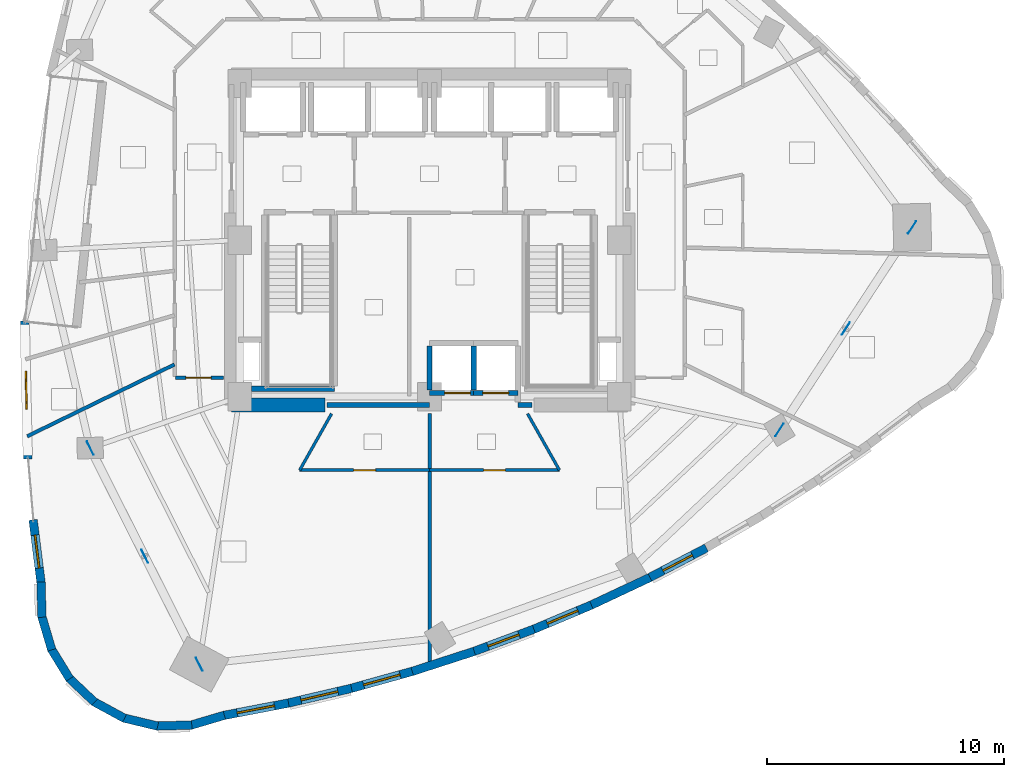
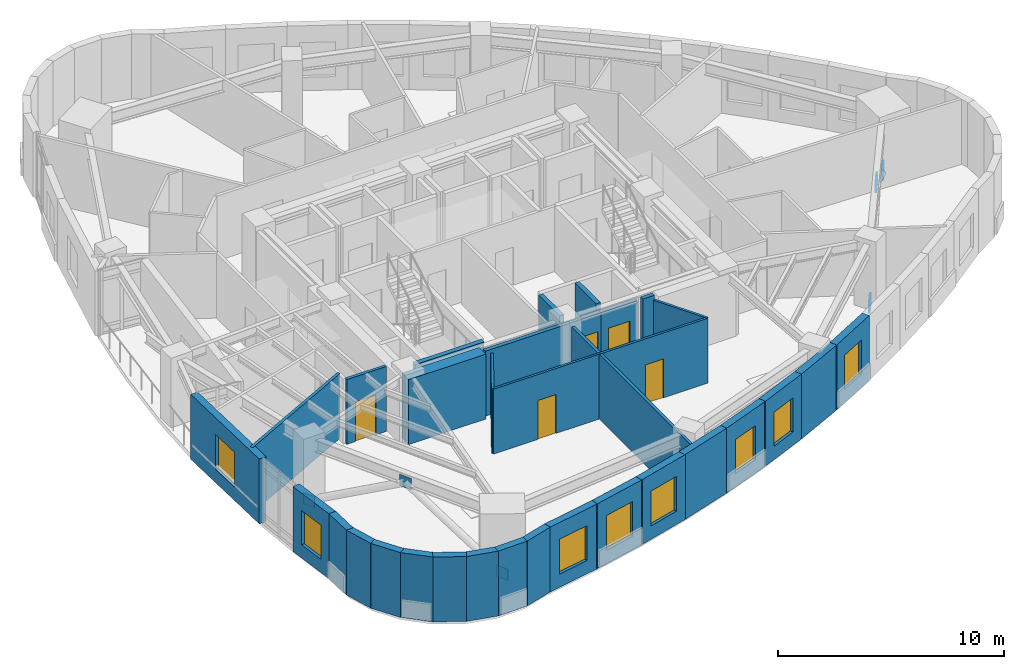
# One storey, part 9 of 16: 33 walls, 8 windows, 6 plates, 5 doors, 13 openings.
"""IFC4 building model written with IfcOpenShell, lengths in metres."""

import ifcopenshell
import ifcopenshell.guid

model = None  # the IFC model being written
_history = None  # IfcOwnerHistory: only IFC2X3 demands one
_inside = {}  # id of a spatial element -> (the spatial element, [elements in it])
_under = {}  # id of a project, library or spatial element -> (it, [spatial elements below it])
_declared = {}  # id of a project -> (the project, [libraries it declares])
_typed = {}  # id of a type object -> (the type object, [elements of that type])
_made_of = {}  # id of a material, layer set ... -> (it, [elements and type objects made of it])


def new_model(schema):
    """Start an empty IFC model of exactly this schema.

    Asked for "IFC4X3", IfcOpenShell would pick the latest addendum, in which some entities
    have other attributes; the version numbers below select the first issue.
    IFC2X3 requires an IfcOwnerHistory on every rooted entity: one is made here for all.
    """
    global model, _history
    if schema == "IFC4X3":
        model = ifcopenshell.file(schema_version=(4, 3, 0, 0))
    else:
        model = ifcopenshell.file(schema=schema)
    _inside.clear()
    _under.clear()
    _declared.clear()
    _typed.clear()
    _made_of.clear()
    _history = None
    if model.schema == "IFC2X3":
        org = make("IfcOrganization", Name="unknown")
        user = make(
            "IfcPersonAndOrganization",
            ThePerson=make("IfcPerson", FamilyName="unknown"),
            TheOrganization=org,
        )
        app = make(
            "IfcApplication",
            ApplicationDeveloper=org,
            Version="unknown",
            ApplicationFullName="unknown",
            ApplicationIdentifier="unknown",
        )
        _history = make(
            "IfcOwnerHistory",
            OwningUser=user,
            OwningApplication=app,
            ChangeAction="ADDED",
            CreationDate=0,
        )
    return model


def make(cls, **values):
    """One entity of the class cls with the attributes given. An attribute that is None is left unset."""
    return model.create_entity(
        cls, **{name: value for name, value in values.items() if value is not None}
    )


def rooted(cls, **values):
    """An entity with a GlobalId (a new one), such as an element, a storey or a relation."""
    return make(cls, GlobalId=ifcopenshell.guid.new(), OwnerHistory=_history, **values)


def si_unit(unit_type, name, prefix=None):
    """IfcSIUnit, for example si_unit("LENGTHUNIT", "METRE", prefix="MILLI")."""
    return make("IfcSIUnit", UnitType=unit_type, Prefix=prefix, Name=name)


def assignment(units):
    """IfcUnitAssignment: the units of a project."""
    return None if units is None else make("IfcUnitAssignment", Units=units)


def point(xyz):
    """IfcCartesianPoint."""
    return None if xyz is None else make("IfcCartesianPoint", Coordinates=xyz)


def direction(xyz):
    """IfcDirection."""
    return None if xyz is None else make("IfcDirection", DirectionRatios=xyz)


def frame(location, z_axis=None, x_axis=None):
    """IfcAxis2Placement3D, a coordinate frame: its origin and axes. An axis left out is left unset."""
    return make(
        "IfcAxis2Placement3D",
        Location=point(location),
        Axis=direction(z_axis),
        RefDirection=direction(x_axis),
    )


def frame_2d(location, x_axis=None):
    """IfcAxis2Placement2D, a coordinate frame in the plane: its origin and x axis."""
    return make(
        "IfcAxis2Placement2D", Location=point(location), RefDirection=direction(x_axis)
    )


def origin():
    """The frame at (0, 0, 0) with its axes left unset."""
    return frame((0.0, 0.0, 0.0))


def origin_2d():
    """The frame at (0, 0) in the plane with its x axis left unset."""
    return frame_2d((0.0, 0.0))


def place(relative_to, where):
    """IfcLocalPlacement: puts the frame where relative to a parent placement (None: the world)."""
    return make(
        "IfcLocalPlacement", PlacementRelTo=relative_to, RelativePlacement=where
    )


def context(
    kind, dimensions, precision=None, world=None, true_north=None, identifier=None
):
    """IfcGeometricRepresentationContext, for example the 3D "Model" context."""
    return make(
        "IfcGeometricRepresentationContext",
        ContextIdentifier=identifier,
        ContextType=kind,
        CoordinateSpaceDimension=dimensions,
        Precision=precision,
        WorldCoordinateSystem=world,
        TrueNorth=true_north,
    )


def subcontext(parent, identifier, kind, view, scale=None):
    """IfcGeometricRepresentationSubContext, for example "Body" below "Model"."""
    return make(
        "IfcGeometricRepresentationSubContext",
        ContextIdentifier=identifier,
        ContextType=kind,
        ParentContext=parent,
        TargetScale=scale,
        TargetView=view,
    )


def project(units=None, contexts=None):
    """IfcProject with its units and contexts."""
    return rooted(
        "IfcProject",
        Name="project",
        RepresentationContexts=contexts,
        UnitsInContext=assignment(units),
    )


def spatial(cls, under=None, at=None, **own):
    """A site, building, storey or space (cls), placed at a placement, below another one or the project."""
    s = rooted(cls, ObjectPlacement=at, **own)
    if under is not None:
        _under.setdefault(under.id(), (under, []))[1].append(s)
    return s


def profile(cls, at=None, kind="AREA", **sizes):
    """A parametric profile (cls). Its sizes go by their IFC names, for example OverallWidth=200.0."""
    return make(cls, ProfileType=kind, Position=at, **sizes)


def rectangle(**sizes):
    """IfcRectangleProfileDef."""
    return profile("IfcRectangleProfileDef", **sizes)


def extrude(swept, where, along, depth):
    """IfcExtrudedAreaSolid: the profile swept, set in the frame where, extruded along a direction by depth."""
    return make(
        "IfcExtrudedAreaSolid",
        SweptArea=swept,
        Position=where,
        ExtrudedDirection=direction(along),
        Depth=depth,
    )


def shape(context_of_items, identifier, shape_type, items):
    """IfcShapeRepresentation: the items that make up one representation, for example the "Body"."""
    return make(
        "IfcShapeRepresentation",
        ContextOfItems=context_of_items,
        RepresentationIdentifier=identifier,
        RepresentationType=shape_type,
        Items=items,
    )


def material(Name=None, Category=None):
    """IfcMaterial."""
    return make("IfcMaterial", Name=Name, Category=Category)


def layer(
    of_material, thickness, ventilated=None, Name=None, Category=None, Priority=None
):
    """IfcMaterialLayer: one layer of a wall or slab, of a material (None: an air gap)."""
    return make(
        "IfcMaterialLayer",
        Material=of_material,
        LayerThickness=thickness,
        IsVentilated=ventilated,
        Name=Name,
        Category=Category,
        Priority=Priority,
    )


def layer_set(layers, Name=None):
    """IfcMaterialLayerSet."""
    return make("IfcMaterialLayerSet", MaterialLayers=layers, LayerSetName=Name)


def made_of(thing, what):
    """Note that an element or type object is made of a material, layer set ...; save() writes the relation."""
    if what is not None:
        _made_of.setdefault(what.id(), (what, []))[1].append(thing)
    return thing


def type_object(cls, material=None, **own):
    """A type object (cls), such as IfcWallType, which elements share."""
    return made_of(rooted(cls, **own), material)


def element(
    cls,
    number,
    at=None,
    inside=None,
    cuts=None,
    type_object=None,
    material=None,
    context=None,
    identifier="Body",
    shape_type=None,
    held_by="IfcProductDefinitionShape",
    body=None,
    shapes=None,
    **own,
):
    """One element of the class cls, such as IfcWall. Its Tag is "e" and its number.

    at: its placement. inside: the storey or other place that contains it. cuts: it is an
    opening in that element (IfcRelVoidsElement). A single representation is given by context,
    identifier, shape_type and body (its items); several are given by shapes. held_by: the class
    of the entity that holds the representations. save() writes the other relations.
    """
    e = rooted(cls, Tag="e%d" % number, ObjectPlacement=at, **own)
    if body is not None:
        shapes = [shape(context, identifier, shape_type, body)]
    if shapes is not None:
        e.Representation = make(held_by, Representations=shapes)
    if inside is not None:
        _inside.setdefault(inside.id(), (inside, []))[1].append(e)
    if cuts is not None:
        rooted(
            "IfcRelVoidsElement", RelatingBuildingElement=cuts, RelatedOpeningElement=e
        )
    if type_object is not None:
        _typed.setdefault(type_object.id(), (type_object, []))[1].append(e)
    return made_of(e, material)


def fill(opening, filler):
    """IfcRelFillsElement: the door or window that sits in an opening."""
    return rooted(
        "IfcRelFillsElement",
        RelatingOpeningElement=opening,
        RelatedBuildingElement=filler,
    )


def aggregate(whole, parts):
    """IfcRelAggregates: a whole, such as a stair, and the parts it consists of."""
    return rooted("IfcRelAggregates", RelatingObject=whole, RelatedObjects=parts)


def save(model, path):
    """Write the relations noted so far, then the file.

    IfcRelAggregates (storeys below a building ...), IfcRelContainedInSpatialStructure (elements
    in a storey), IfcRelDefinesByType, IfcRelAssociatesMaterial and IfcRelDeclares: one each for
    every whole, place, type object, material and project.
    """
    for whole, parts in _under.values():
        aggregate(whole, parts)
    for where, things in _inside.values():
        rooted(
            "IfcRelContainedInSpatialStructure",
            RelatedElements=things,
            RelatingStructure=where,
        )
    for kind, things in _typed.values():
        rooted("IfcRelDefinesByType", RelatedObjects=things, RelatingType=kind)
    for what, things in _made_of.values():
        rooted("IfcRelAssociatesMaterial", RelatedObjects=things, RelatingMaterial=what)
    for by, libraries in _declared.values():
        rooted("IfcRelDeclares", RelatingContext=by, RelatedDefinitions=libraries)
    model.write(path)


model = new_model("IFC4")

# Units and contexts
model_context = context("Model", 3, precision=1e-05, world=origin(), true_north=direction((0.0, 1.0)))
body_context = subcontext(model_context, "Body", "Model", "MODEL_VIEW")
ifc_project = project(units=[si_unit("LENGTHUNIT", "METRE"), si_unit("AREAUNIT", "SQUARE_METRE"), si_unit("VOLUMEUNIT", "CUBIC_METRE"), si_unit("PLANEANGLEUNIT", "RADIAN"), si_unit("MASSUNIT", "GRAM", prefix="KILO")], contexts=[model_context])

# Site, building, storey
site_placement = place(None, origin())
site = spatial("IfcSite", under=ifc_project, at=site_placement, CompositionType="ELEMENT")
building_placement = place(site_placement, origin())
building = spatial("IfcBuilding", under=site, at=building_placement, Name="Ndelora Gate Hotel", CompositionType="ELEMENT")
storey_placement = place(building_placement, frame((0.0, 0.0, 97.25)))
storey = spatial("IfcBuildingStorey", under=building, at=storey_placement, Name="L23", CompositionType="ELEMENT", Elevation=97.25)

# Plates
ifc_material_1 = material(Name="Steel S355", Category="steel")
ifc_layer_1 = layer(ifc_material_1, 0.02001953125)
ifc_layer_set_1 = layer_set([ifc_layer_1], Name="Steel S355")
plate_type = type_object("IfcPlateType", Name="PL-NODE-VN1", PredefinedType="USERDEFINED", material=ifc_layer_set_1)
for number, where, z_axis, x_axis, name in (
    (1, (-14.307373046875, -8.767578125, -0.2900390625), (0.0, 0.0, 1.0), (-0.450254288408, 0.892900372813, 0.0), "Node gusset cap plate VN1"),
    (2, (-9.71044921875, -17.884521484375, -0.2900390625), (0.0, 0.0, 1.0), (-0.450254288408, 0.892900372813, 0.0), "Node gusset cap plate VN1"),
    (3, (-12.0087890625, -13.325927734375, 2.639892578125), (0.0, 0.0, 1.0), (-0.450254288408, 0.892900372813, 0.0), "Node gusset cap plate VN1"),
    (4, (14.74658203125, -8.006591796875, -0.2900390625), (0.0, 0.0, 1.0), (0.548147261701, 0.836381838331, 0.0), "Node gusset cap plate VN1"),
    (5, (20.34375, 0.53271484375, -0.2900390625), (0.0, 0.0, 1.0), (0.548147261701, 0.836381838331, 0.0), "Node gusset cap plate VN1"),
    (6, (17.545166015625, -3.737060546875, 2.639892578125), (0.0, 0.0, 1.0), (0.548147261701, 0.836381838331, 0.0), "Node gusset cap plate VN1"),
):
    element("IfcPlate", number, at=place(storey_placement, frame(where, z_axis=z_axis, x_axis=x_axis)), inside=storey, type_object=plate_type, Name=name, ObjectType="GUSSET_PLATE", PredefinedType="USERDEFINED", context=body_context, shape_type="SweptSolid", body=[
        extrude(rectangle(XDim=0.6201171875, YDim=0.02001953125, at=origin_2d()), origin(), (0.0, 0.0, 1.0), 0.6201171875),
    ])

# Wall, opening, window
ifc_material_2 = material(Name="Clay Brick Masonry", Category="masonry")
ifc_layer_2 = layer(ifc_material_2, 0.360107421875)
ifc_layer_set_2 = layer_set([ifc_layer_2], Name="Clay Brick Masonry")
wall_type_1 = type_object("IfcWallType", Name="WL-BRICK-360", PredefinedType="SOLIDWALL", material=ifc_layer_set_2)
wall_1_placement = place(storey_placement, frame((-16.937255859375, -9.235107421875, 0.0), z_axis=(0.0, 0.0, 1.0), x_axis=(-0.022541523753, 0.999745907572, 0.0)))
wall_1 = element("IfcWall", 7, at=wall_1_placement, inside=storey, type_object=wall_type_1, Name="L23 Tower Brick Pier-and-Spandrel Wall TWR-16", PredefinedType="SOLIDWALL", context=body_context, shape_type="SweptSolid", body=[
    extrude(rectangle(XDim=5.826904296875, YDim=0.360107421875, at=frame_2d((2.91357421875, 0.0))), origin(), (0.0, 0.0, 1.0), 3.5),
])
opening_1_placement = place(wall_1_placement, frame((2.11328125, 0.0, 0.719970703125)))
opening_1 = element("IfcOpeningElement", 8, at=opening_1_placement, cuts=wall_1, Name="Opening W01", PredefinedType="OPENING", context=body_context, shape_type="SweptSolid", body=[
    extrude(rectangle(XDim=1.60009765625, YDim=1.8798828125, at=frame_2d((0.800048828125, 0.93994140625))), frame((0.0, 0.18994140625, 0.0), z_axis=(0.0, -1.0, 0.0), x_axis=(1.0, 0.0, 0.0)), (0.0, 0.0, 1.0), 0.380126953125),
])
ifc_material_3 = material(Name="Insulated Low-E Double Glazing in Bronze Aluminium Frame", Category="aluminium")
window_type_1 = type_object("IfcWindowType", Name="WN-DEEP-1600", PartitioningType="SINGLE_PANEL", PredefinedType="WINDOW", material=ifc_material_3)
window_1_placement = place(opening_1_placement, origin())
window_1 = element("IfcWindow", 9, at=window_1_placement, inside=storey, type_object=window_type_1, Name="L23 Deep-Set Brick-Pier Window W01", OverallHeight=1.8798828125, OverallWidth=1.60009765625, PartitioningType="SINGLE_PANEL", PredefinedType="WINDOW", context=body_context, shape_type="SweptSolid", body=[
    extrude(rectangle(XDim=1.60009765625, YDim=1.8798828125, at=frame_2d((0.800048828125, 0.93994140625))), frame((0.0, 0.030029296875, 0.0), z_axis=(0.0, -1.0, 0.0), x_axis=(1.0, 0.0, 0.0)), (0.0, 0.0, 1.0), 0.06005859375),
])
fill(opening_1, window_1)

wall_2_placement = place(storey_placement, frame((-16.376220703125, -14.465576171875, 0.0), z_axis=(0.0, 0.0, 1.0), x_axis=(-0.125441192339, 0.992101056982, 0.0)))
wall_2 = element("IfcWall", 10, at=wall_2_placement, inside=storey, type_object=wall_type_1, Name="L23 Tower Brick Pier-and-Spandrel Wall TWR-18", PredefinedType="SOLIDWALL", context=body_context, shape_type="SweptSolid", body=[
    extrude(rectangle(XDim=2.691650390625, YDim=0.360107421875, at=frame_2d((1.345703125, 0.0))), origin(), (0.0, 0.0, 1.0), 3.5),
])
opening_2_placement = place(wall_2_placement, frame((0.645751953125, 0.0, 0.719970703125)))
opening_2 = element("IfcOpeningElement", 11, at=opening_2_placement, cuts=wall_2, Name="Opening W02", PredefinedType="OPENING", context=body_context, shape_type="SweptSolid", body=[
    extrude(rectangle(XDim=1.39990234375, YDim=1.840087890625, at=frame_2d((0.699951171875, 0.919921875))), frame((0.0, 0.18994140625, 0.0), z_axis=(0.0, -1.0, 0.0), x_axis=(1.0, 0.0, 0.0)), (0.0, 0.0, 1.0), 0.380126953125),
])
window_type_2 = type_object("IfcWindowType", Name="WN-DEEP-1400", PartitioningType="SINGLE_PANEL", PredefinedType="WINDOW", material=ifc_material_3)
window_2_placement = place(opening_2_placement, origin())
window_2 = element("IfcWindow", 12, at=window_2_placement, inside=storey, type_object=window_type_2, Name="L23 Deep-Set Brick-Pier Window W02", OverallHeight=1.840087890625, OverallWidth=1.39990234375, PartitioningType="SINGLE_PANEL", PredefinedType="WINDOW", context=body_context, shape_type="SweptSolid", body=[
    extrude(rectangle(XDim=1.39990234375, YDim=1.840087890625, at=frame_2d((0.699951171875, 0.919921875))), frame((0.0, 0.030029296875, 0.0), z_axis=(0.0, -1.0, 0.0), x_axis=(1.0, 0.0, 0.0)), (0.0, 0.0, 1.0), 0.06005859375),
])
fill(opening_2, window_2)

# Walls
for number, where, z_axis, x_axis, name in (
    (13, (-16.341064453125, -15.90087890625, 0.0), (0.0, 0.0, 1.0), (-0.026293717191, 0.99965426045, 0.0), "L23 Tower Brick Pier-and-Spandrel Wall TWR-19"),
    (14, (-15.927001953125, -17.276611328125, 0.0), (0.0, 0.0, 1.0), (-0.283954048509, 0.958837889497, 0.0), "L23 Tower Brick Pier-and-Spandrel Wall TWR-20"),
):
    element("IfcWall", number, at=place(storey_placement, frame(where, z_axis=z_axis, x_axis=x_axis)), inside=storey, type_object=wall_type_1, Name=name, PredefinedType="SOLIDWALL", context=body_context, shape_type="SweptSolid", body=[
        extrude(rectangle(XDim=1.485595703125, YDim=0.360107421875, at=frame_2d((0.74267578125, 0.0))), origin(), (0.0, 0.0, 1.0), 3.5),
    ])
wall_3_placement = place(storey_placement, frame((-15.170654296875, -18.498291015625, 0.0), z_axis=(0.0, 0.0, 1.0), x_axis=(-0.522519673624, 0.852627228439, 0.0)))
element("IfcWall", 15, at=wall_3_placement, inside=storey, type_object=wall_type_1, Name="L23 Tower Brick Pier-and-Spandrel Wall TWR-21", PredefinedType="SOLIDWALL", context=body_context, shape_type="SweptSolid", body=[
    extrude(rectangle(XDim=1.48583984375, YDim=0.360107421875, at=frame_2d((0.742919921875, 0.0))), origin(), (0.0, 0.0, 1.0), 3.5),
])
wall_4_placement = place(storey_placement, frame((-14.124267578125, -19.482421875, 0.0), z_axis=(0.0, 0.0, 1.0), x_axis=(-0.725352183474, 0.688377955726, 0.0)))
element("IfcWall", 16, at=wall_4_placement, inside=storey, type_object=wall_type_1, Name="L23 Tower Brick Pier-and-Spandrel Wall TWR-22", PredefinedType="SOLIDWALL", context=body_context, shape_type="SweptSolid", body=[
    extrude(rectangle(XDim=1.485595703125, YDim=0.360107421875, at=frame_2d((0.74267578125, 0.0))), origin(), (0.0, 0.0, 1.0), 3.5),
])
wall_5_placement = place(storey_placement, frame((-12.8583984375, -20.162109375, 0.0), z_axis=(0.0, 0.0, 1.0), x_axis=(-0.87890460574, 0.476997582812, 0.0)))
element("IfcWall", 17, at=wall_5_placement, inside=storey, type_object=wall_type_1, Name="L23 Tower Brick Pier-and-Spandrel Wall TWR-23", PredefinedType="SOLIDWALL", context=body_context, shape_type="SweptSolid", body=[
    extrude(rectangle(XDim=1.48583984375, YDim=0.360107421875, at=frame_2d((0.742919921875, 0.0))), origin(), (0.0, 0.0, 1.0), 3.5),
])
wall_6_placement = place(storey_placement, frame((-11.460205078125, -20.4912109375, 0.0), z_axis=(0.0, 0.0, 1.0), x_axis=(-0.972390285352, 0.233360521413, 0.0)))
element("IfcWall", 18, at=wall_6_placement, inside=storey, type_object=wall_type_1, Name="L23 Tower Brick Pier-and-Spandrel Wall TWR-24", PredefinedType="SOLIDWALL", context=body_context, shape_type="SweptSolid", body=[
    extrude(rectangle(XDim=1.485595703125, YDim=0.360107421875, at=frame_2d((0.74267578125, 0.0))), origin(), (0.0, 0.0, 1.0), 3.5),
])
for number, where, z_axis, x_axis, name in (
    (19, (-10.024169921875, -20.447265625, 0.0), (0.0, 0.0, 1.0), (-0.999658678656, -0.026125202154, 0.0), "L23 Tower Brick Pier-and-Spandrel Wall TWR-25"),
    (20, (-8.6484375, -20.032958984375, 0.0), (0.0, 0.0, 1.0), (-0.95879313952, -0.284105113664, 0.0), "L23 Tower Brick Pier-and-Spandrel Wall TWR-26"),
):
    element("IfcWall", number, at=place(storey_placement, frame(where, z_axis=z_axis, x_axis=x_axis)), inside=storey, type_object=wall_type_1, Name=name, PredefinedType="SOLIDWALL", context=body_context, shape_type="SweptSolid", body=[
        extrude(rectangle(XDim=1.48583984375, YDim=0.360107421875, at=frame_2d((0.742919921875, 0.0))), origin(), (0.0, 0.0, 1.0), 3.5),
    ])

# Wall, opening, window
wall_7_placement = place(storey_placement, frame((-5.94580078125, -19.51806640625, 0.0), z_axis=(0.0, 0.0, 1.0), x_axis=(-0.982153479192, -0.188081214668, 0.0)))
wall_7 = element("IfcWall", 21, at=wall_7_placement, inside=storey, type_object=wall_type_1, Name="L23 Tower Brick Pier-and-Spandrel Wall TWR-27", PredefinedType="SOLIDWALL", context=body_context, shape_type="SweptSolid", body=[
    extrude(rectangle(XDim=2.80126953125, YDim=0.360107421875, at=frame_2d((1.400634765625, 0.0))), origin(), (0.0, 0.0, 1.0), 3.5),
])
opening_3_placement = place(wall_7_placement, frame((0.6005859375, 0.0, 0.719970703125)))
opening_3 = element("IfcOpeningElement", 22, at=opening_3_placement, cuts=wall_7, Name="Opening W01", PredefinedType="OPENING", context=body_context, shape_type="SweptSolid", body=[
    extrude(rectangle(XDim=1.60009765625, YDim=1.8798828125, at=frame_2d((0.800048828125, 0.93994140625))), frame((0.0, 0.18994140625, 0.0), z_axis=(0.0, -1.0, 0.0), x_axis=(1.0, 0.0, 0.0)), (0.0, 0.0, 1.0), 0.380126953125),
])
window_3_placement = place(opening_3_placement, origin())
window_3 = element("IfcWindow", 23, at=window_3_placement, inside=storey, type_object=window_type_1, Name="L23 Deep-Set Brick-Pier Window W01", OverallHeight=1.8798828125, OverallWidth=1.60009765625, PartitioningType="SINGLE_PANEL", PredefinedType="WINDOW", context=body_context, shape_type="SweptSolid", body=[
    extrude(rectangle(XDim=1.60009765625, YDim=1.8798828125, at=frame_2d((0.800048828125, 0.93994140625))), frame((0.0, 0.030029296875, 0.0), z_axis=(0.0, -1.0, 0.0), x_axis=(1.0, 0.0, 0.0)), (0.0, 0.0, 1.0), 0.06005859375),
])
fill(opening_3, window_3)

wall_8_placement = place(storey_placement, frame((-3.290283203125, -18.8955078125, 0.0), z_axis=(0.0, 0.0, 1.0), x_axis=(-0.973697722737, -0.227843684873, 0.0)))
wall_8 = element("IfcWall", 24, at=wall_8_placement, inside=storey, type_object=wall_type_1, Name="L23 Tower Brick Pier-and-Spandrel Wall TWR-28", PredefinedType="SOLIDWALL", context=body_context, shape_type="SweptSolid", body=[
    extrude(rectangle(XDim=2.77734375, YDim=0.360107421875, at=frame_2d((1.388671875, 0.0))), origin(), (0.0, 0.0, 1.0), 3.5),
])
opening_4_placement = place(wall_8_placement, frame((0.5888671875, 0.0, 0.719970703125)))
opening_4 = element("IfcOpeningElement", 25, at=opening_4_placement, cuts=wall_8, Name="Opening W01", PredefinedType="OPENING", context=body_context, shape_type="SweptSolid", body=[
    extrude(rectangle(XDim=1.60009765625, YDim=1.8798828125, at=frame_2d((0.800048828125, 0.93994140625))), frame((0.0, 0.18994140625, 0.0), z_axis=(0.0, -1.0, 0.0), x_axis=(1.0, 0.0, 0.0)), (0.0, 0.0, 1.0), 0.380126953125),
])
window_4_placement = place(opening_4_placement, origin())
window_4 = element("IfcWindow", 26, at=window_4_placement, inside=storey, type_object=window_type_1, Name="L23 Deep-Set Brick-Pier Window W01", OverallHeight=1.8798828125, OverallWidth=1.60009765625, PartitioningType="SINGLE_PANEL", PredefinedType="WINDOW", context=body_context, shape_type="SweptSolid", body=[
    extrude(rectangle(XDim=1.60009765625, YDim=1.8798828125, at=frame_2d((0.800048828125, 0.93994140625))), frame((0.0, 0.030029296875, 0.0), z_axis=(0.0, -1.0, 0.0), x_axis=(1.0, 0.0, 0.0)), (0.0, 0.0, 1.0), 0.06005859375),
])
fill(opening_4, window_4)

wall_9_placement = place(storey_placement, frame((-0.680908203125, -18.169189453125, 0.0), z_axis=(0.0, 0.0, 1.0), x_axis=(-0.963469710564, -0.267817319876, 0.0)))
wall_9 = element("IfcWall", 27, at=wall_9_placement, inside=storey, type_object=wall_type_1, Name="L23 Tower Brick Pier-and-Spandrel Wall TWR-29", PredefinedType="SOLIDWALL", context=body_context, shape_type="SweptSolid", body=[
    extrude(rectangle(XDim=2.758544921875, YDim=0.360107421875, at=frame_2d((1.37939453125, 0.0))), origin(), (0.0, 0.0, 1.0), 3.5),
])
opening_5_placement = place(wall_9_placement, frame((0.5791015625, 0.0, 0.719970703125)))
opening_5 = element("IfcOpeningElement", 28, at=opening_5_placement, cuts=wall_9, Name="Opening W03", PredefinedType="OPENING", context=body_context, shape_type="SweptSolid", body=[
    extrude(rectangle(XDim=1.60009765625, YDim=1.8798828125, at=frame_2d((0.800048828125, 0.93994140625))), frame((0.0, 0.18994140625, 0.0), z_axis=(0.0, -1.0, 0.0), x_axis=(1.0, 0.0, 0.0)), (0.0, 0.0, 1.0), 0.380126953125),
])
window_type_3 = type_object("IfcWindowType", Name="WN-CORN-2100", PartitioningType="SINGLE_PANEL", PredefinedType="WINDOW", material=ifc_material_3)
window_5_placement = place(opening_5_placement, origin())
window_5 = element("IfcWindow", 29, at=window_5_placement, inside=storey, type_object=window_type_3, Name="L23 Deep-Set Brick-Pier Window W03", OverallHeight=1.8798828125, OverallWidth=1.60009765625, PartitioningType="SINGLE_PANEL", PredefinedType="WINDOW", context=body_context, shape_type="SweptSolid", body=[
    extrude(rectangle(XDim=1.60009765625, YDim=1.8798828125, at=frame_2d((0.800048828125, 0.93994140625))), frame((0.0, 0.030029296875, 0.0), z_axis=(0.0, -1.0, 0.0), x_axis=(1.0, 0.0, 0.0)), (0.0, 0.0, 1.0), 0.06005859375),
])
fill(opening_5, window_5)

# Wall
wall_10_placement = place(storey_placement, frame((1.8818359375, -17.338623046875, 0.0), z_axis=(0.0, 0.0, 1.0), x_axis=(-0.951405423372, -0.307941098877, 0.0)))
element("IfcWall", 30, at=wall_10_placement, inside=storey, type_object=wall_type_1, Name="L23 Tower Brick Pier-and-Spandrel Wall TWR-30", PredefinedType="SOLIDWALL", context=body_context, shape_type="SweptSolid", body=[
    extrude(rectangle(XDim=2.743896484375, YDim=0.360107421875, at=frame_2d((1.3720703125, 0.0))), origin(), (0.0, 0.0, 1.0), 3.5),
])

# Wall, opening, window
wall_11_placement = place(storey_placement, frame((4.398193359375, -16.404052734375, 0.0), z_axis=(0.0, 0.0, 1.0), x_axis=(-0.937570914704, -0.347794163121, 0.0)))
wall_11 = element("IfcWall", 31, at=wall_11_placement, inside=storey, type_object=wall_type_1, Name="L23 Tower Brick Pier-and-Spandrel Wall TWR-31", PredefinedType="SOLIDWALL", context=body_context, shape_type="SweptSolid", body=[
    extrude(rectangle(XDim=2.734130859375, YDim=0.360107421875, at=frame_2d((1.3671875, 0.0))), origin(), (0.0, 0.0, 1.0), 3.5),
])
opening_6_placement = place(wall_11_placement, frame((0.667236328125, 0.0, 0.719970703125)))
opening_6 = element("IfcOpeningElement", 32, at=opening_6_placement, cuts=wall_11, Name="Opening W02", PredefinedType="OPENING", context=body_context, shape_type="SweptSolid", body=[
    extrude(rectangle(XDim=1.39990234375, YDim=1.840087890625, at=frame_2d((0.699951171875, 0.919921875))), frame((0.0, 0.18994140625, 0.0), z_axis=(0.0, -1.0, 0.0), x_axis=(1.0, 0.0, 0.0)), (0.0, 0.0, 1.0), 0.380126953125),
])
window_6_placement = place(opening_6_placement, origin())
window_6 = element("IfcWindow", 33, at=window_6_placement, inside=storey, type_object=window_type_2, Name="L23 Deep-Set Brick-Pier Window W02", OverallHeight=1.840087890625, OverallWidth=1.39990234375, PartitioningType="SINGLE_PANEL", PredefinedType="WINDOW", context=body_context, shape_type="SweptSolid", body=[
    extrude(rectangle(XDim=1.39990234375, YDim=1.840087890625, at=frame_2d((0.699951171875, 0.919921875))), frame((0.0, 0.030029296875, 0.0), z_axis=(0.0, -1.0, 0.0), x_axis=(1.0, 0.0, 0.0)), (0.0, 0.0, 1.0), 0.06005859375),
])
fill(opening_6, window_6)

wall_12_placement = place(storey_placement, frame((6.868408203125, -15.365478515625, 0.0), z_axis=(0.0, 0.0, 1.0), x_axis=(-0.921993601294, -0.387205112534, 0.0)))
wall_12 = element("IfcWall", 34, at=wall_12_placement, inside=storey, type_object=wall_type_1, Name="L23 Tower Brick Pier-and-Spandrel Wall TWR-32", PredefinedType="SOLIDWALL", context=body_context, shape_type="SweptSolid", body=[
    extrude(rectangle(XDim=2.7294921875, YDim=0.360107421875, at=frame_2d((1.36474609375, 0.0))), origin(), (0.0, 0.0, 1.0), 3.5),
])
opening_7_placement = place(wall_12_placement, frame((0.664794921875, 0.0, 0.719970703125)))
opening_7 = element("IfcOpeningElement", 35, at=opening_7_placement, cuts=wall_12, Name="Opening W02", PredefinedType="OPENING", context=body_context, shape_type="SweptSolid", body=[
    extrude(rectangle(XDim=1.39990234375, YDim=1.840087890625, at=frame_2d((0.699951171875, 0.919921875))), frame((0.0, 0.18994140625, 0.0), z_axis=(0.0, -1.0, 0.0), x_axis=(1.0, 0.0, 0.0)), (0.0, 0.0, 1.0), 0.380126953125),
])
window_7_placement = place(opening_7_placement, origin())
window_7 = element("IfcWindow", 36, at=window_7_placement, inside=storey, type_object=window_type_2, Name="L23 Deep-Set Brick-Pier Window W02", OverallHeight=1.840087890625, OverallWidth=1.39990234375, PartitioningType="SINGLE_PANEL", PredefinedType="WINDOW", context=body_context, shape_type="SweptSolid", body=[
    extrude(rectangle(XDim=1.39990234375, YDim=1.840087890625, at=frame_2d((0.699951171875, 0.919921875))), frame((0.0, 0.030029296875, 0.0), z_axis=(0.0, -1.0, 0.0), x_axis=(1.0, 0.0, 0.0)), (0.0, 0.0, 1.0), 0.06005859375),
])
fill(opening_7, window_7)

# Wall
wall_13_placement = place(storey_placement, frame((9.292236328125, -14.222900390625, 0.0), z_axis=(0.0, 0.0, 1.0), x_axis=(-0.904715296729, -0.426016703739, 0.0)))
element("IfcWall", 37, at=wall_13_placement, inside=storey, type_object=wall_type_1, Name="L23 Tower Brick Pier-and-Spandrel Wall TWR-33", PredefinedType="SOLIDWALL", context=body_context, shape_type="SweptSolid", body=[
    extrude(rectangle(XDim=2.7294921875, YDim=0.360107421875, at=frame_2d((1.36474609375, 0.0))), origin(), (0.0, 0.0, 1.0), 3.5),
])

# Wall, opening, window
wall_14_placement = place(storey_placement, frame((11.669677734375, -12.976318359375, 0.0), z_axis=(0.0, 0.0, 1.0), x_axis=(-0.885821049336, -0.464027012741, 0.0)))
wall_14 = element("IfcWall", 38, at=wall_14_placement, inside=storey, type_object=wall_type_1, Name="L23 Tower Brick Pier-and-Spandrel Wall TWR-34", PredefinedType="SOLIDWALL", context=body_context, shape_type="SweptSolid", body=[
    extrude(rectangle(XDim=2.734375, YDim=0.360107421875, at=frame_2d((1.3671875, 0.0))), origin(), (0.0, 0.0, 1.0), 3.5),
])
opening_8_placement = place(wall_14_placement, frame((0.667236328125, 0.0, 0.719970703125)))
opening_8 = element("IfcOpeningElement", 39, at=opening_8_placement, cuts=wall_14, Name="Opening W02", PredefinedType="OPENING", context=body_context, shape_type="SweptSolid", body=[
    extrude(rectangle(XDim=1.39990234375, YDim=1.840087890625, at=frame_2d((0.699951171875, 0.919921875))), frame((0.0, 0.18994140625, 0.0), z_axis=(0.0, -1.0, 0.0), x_axis=(1.0, 0.0, 0.0)), (0.0, 0.0, 1.0), 0.380126953125),
])
window_8_placement = place(opening_8_placement, origin())
window_8 = element("IfcWindow", 40, at=window_8_placement, inside=storey, type_object=window_type_2, Name="L23 Deep-Set Brick-Pier Window W02", OverallHeight=1.840087890625, OverallWidth=1.39990234375, PartitioningType="SINGLE_PANEL", PredefinedType="WINDOW", context=body_context, shape_type="SweptSolid", body=[
    extrude(rectangle(XDim=1.39990234375, YDim=1.840087890625, at=frame_2d((0.699951171875, 0.919921875))), frame((0.0, 0.030029296875, 0.0), z_axis=(0.0, -1.0, 0.0), x_axis=(1.0, 0.0, 0.0)), (0.0, 0.0, 1.0), 0.06005859375),
])
fill(opening_8, window_8)

# Walls
ifc_material_4 = material(Name="Concrete C60/75", Category="concrete")
ifc_layer_3 = layer(ifc_material_4, 0.60009765625)
ifc_layer_set_3 = layer_set([ifc_layer_3], Name="Concrete C60/75")
wall_type_2 = type_object("IfcWallType", Name="WL-CORE-600", PredefinedType="SHEAR", material=ifc_layer_set_3)
wall_15_placement = place(storey_placement, frame((-8.35009765625, -6.949951171875, 0.0), z_axis=(0.0, 0.0, 1.0), x_axis=(1.0, 0.0, 0.0)))
element("IfcWall", 41, at=wall_15_placement, inside=storey, type_object=wall_type_2, Name="L23 Core Shear Wall S-W", PredefinedType="SHEAR", context=body_context, shape_type="SweptSolid", body=[
    extrude(rectangle(XDim=3.9501953125, YDim=0.60009765625, at=frame_2d((1.97509765625, 0.0))), origin(), (0.0, 0.0, 1.0), 3.5),
])
ifc_material_5 = material(Name="Concrete C40/50", Category="concrete")
ifc_layer_4 = layer(ifc_material_5, 0.199951171875)
ifc_layer_set_4 = layer_set([ifc_layer_4], Name="Concrete C40/50")
wall_type_3 = type_object("IfcWallType", Name="WL-FIRE-200", PredefinedType="PARTITIONING", material=ifc_layer_set_4)
wall_16_placement = place(storey_placement, frame((-4.320068359375, -6.949951171875, 0.0), z_axis=(0.0, 0.0, 1.0), x_axis=(1.0, 0.0, 0.0)))
element("IfcWall", 42, at=wall_16_placement, inside=storey, type_object=wall_type_3, Name="L23 Interior Wall IW-2", PredefinedType="PARTITIONING", context=body_context, shape_type="SweptSolid", body=[
    extrude(rectangle(XDim=4.320068359375, YDim=0.199951171875, at=frame_2d((2.16015625, 0.0))), origin(), (0.0, 0.0, 1.0), 3.5),
])
wall_17_placement = place(storey_placement, frame((3.719970703125, -6.949951171875, 0.0), z_axis=(0.0, 0.0, 1.0), x_axis=(1.0, 0.0, 0.0)))
element("IfcWall", 43, at=wall_17_placement, inside=storey, type_object=wall_type_3, Name="L23 Interior Wall IW-2", PredefinedType="PARTITIONING", context=body_context, shape_type="SweptSolid", body=[
    extrude(rectangle(XDim=0.60009765625, YDim=0.199951171875, at=frame_2d((0.300048828125, 0.0))), origin(), (0.0, 0.0, 1.0), 3.5),
])

# Wall, opening, door
ifc_material_6 = material(Name="Fire-Rated Gypsum Stud Partition", Category="gypsum")
ifc_layer_5 = layer(ifc_material_6, 0.14990234375)
ifc_layer_set_5 = layer_set([ifc_layer_5], Name="Fire-Rated Gypsum Stud Partition")
wall_type_4 = type_object("IfcWallType", Name="WL-PART-150", PredefinedType="PARTITIONING", material=ifc_layer_set_5)
wall_18_placement = place(storey_placement, frame((-8.68994140625, -5.800048828125, 0.0), z_axis=(0.0, 0.0, 1.0), x_axis=(-1.0, 0.0, 0.0)))
wall_18 = element("IfcWall", 44, at=wall_18_placement, inside=storey, type_object=wall_type_4, Name="L23 Interior Wall IW-5", PredefinedType="PARTITIONING", context=body_context, shape_type="SweptSolid", body=[
    extrude(rectangle(XDim=2.02001953125, YDim=0.14990234375, at=frame_2d((1.010009765625, 0.0))), origin(), (0.0, 0.0, 1.0), 3.5),
])
opening_9_placement = place(wall_18_placement, frame((0.52001953125, 0.0, 0.0)))
opening_9 = element("IfcOpeningElement", 45, at=opening_9_placement, cuts=wall_18, Name="Opening D07", PredefinedType="OPENING", context=body_context, shape_type="SweptSolid", body=[
    extrude(rectangle(XDim=1.06005859375, YDim=2.14990234375, at=frame_2d((0.530029296875, 1.074951171875))), frame((0.0, 0.0849609375, 0.0), z_axis=(0.0, -1.0, 0.0), x_axis=(1.0, 0.0, 0.0)), (0.0, 0.0, 1.0), 0.169921875),
])
ifc_material_7 = material(Name="Diplomatic Suite Acoustic Entrance Door", Category="wood")
door_type_1 = type_object("IfcDoorType", Name="DR-SUITE-1060", OperationType="SINGLE_SWING_LEFT", PredefinedType="DOOR", material=ifc_material_7)
door_1_placement = place(opening_9_placement, origin())
door_1 = element("IfcDoor", 46, at=door_1_placement, inside=storey, type_object=door_type_1, Name="L23 Club King Corner Suite 2601 Entrance Door", OperationType="SINGLE_SWING_LEFT", OverallHeight=2.14990234375, OverallWidth=1.06005859375, PredefinedType="DOOR", context=body_context, shape_type="SweptSolid", body=[
    extrude(rectangle(XDim=1.06005859375, YDim=2.14990234375, at=frame_2d((0.530029296875, 1.074951171875))), frame((0.0, 0.02490234375, 0.0), z_axis=(0.0, -1.0, 0.0), x_axis=(1.0, 0.0, 0.0)), (0.0, 0.0, 1.0), 0.050048828125),
])
fill(opening_9, door_1)

# Walls
wall_19_placement = place(storey_placement, frame((-10.75, -5.2431640625, 0.0), z_axis=(0.0, 0.0, 1.0), x_axis=(-0.898794257847, -0.438370713052, 0.0)))
element("IfcWall", 47, at=wall_19_placement, inside=storey, type_object=wall_type_4, Name="L23 Interior Wall IW-5", PredefinedType="PARTITIONING", context=body_context, shape_type="SweptSolid", body=[
    extrude(rectangle(XDim=6.908203125, YDim=0.14990234375, at=frame_2d((3.4541015625, 0.0))), origin(), (0.0, 0.0, 1.0), 3.5),
])
wall_20_placement = place(storey_placement, frame((0.0, -7.320068359375, 0.0), z_axis=(0.0, 0.0, 1.0), x_axis=(0.0, -1.0, 0.0)))
element("IfcWall", 48, at=wall_20_placement, inside=storey, type_object=wall_type_4, Name="L23 Interior Wall IW-5", PredefinedType="PARTITIONING", context=body_context, shape_type="SweptSolid", body=[
    extrude(rectangle(XDim=10.62744140625, YDim=0.14990234375, at=frame_2d((5.313720703125, 0.0))), origin(), (0.0, 0.0, 1.0), 3.5),
])

# Wall, opening, door
ifc_layer_6 = layer(ifc_material_5, 0.219970703125)
ifc_layer_set_6 = layer_set([ifc_layer_6], Name="Concrete C40/50")
wall_type_5 = type_object("IfcWallType", Name="WL-SHAFT-220", PredefinedType="PARTITIONING", material=ifc_layer_set_6)
wall_21_placement = place(storey_placement, frame((0.0, -6.449951171875, 0.0), z_axis=(0.0, 0.0, 1.0), x_axis=(1.0, 0.0, 0.0)))
wall_21 = element("IfcWall", 49, at=wall_21_placement, inside=storey, type_object=wall_type_5, Name="L23 Interior Wall IW-1", PredefinedType="PARTITIONING", context=body_context, shape_type="SweptSolid", body=[
    extrude(rectangle(XDim=1.860107421875, YDim=0.219970703125, at=frame_2d((0.93017578125, 0.0))), origin(), (0.0, 0.0, 1.0), 3.1201171875),
])
opening_10_placement = place(wall_21_placement, frame((0.639892578125, 0.0, 0.0)))
opening_10 = element("IfcOpeningElement", 50, at=opening_10_placement, cuts=wall_21, Name="Opening LD2", PredefinedType="OPENING", context=body_context, shape_type="SweptSolid", body=[
    extrude(rectangle(XDim=1.080078125, YDim=2.14990234375, at=frame_2d((0.5400390625, 1.074951171875))), frame((0.0, 0.1201171875, 0.0), z_axis=(0.0, -1.0, 0.0), x_axis=(1.0, 0.0, 0.0)), (0.0, 0.0, 1.0), 0.239990234375),
])
ifc_material_8 = material(Name="Brushed Bronze Stainless Lift Landing Door", Category="metal")
door_type_2 = type_object("IfcDoorType", Name="DR-LD2", OperationType="DOUBLE_DOOR_SLIDING", PredefinedType="DOOR", material=ifc_material_8)
door_2_placement = place(opening_10_placement, origin())
door_2 = element("IfcDoor", 51, at=door_2_placement, inside=storey, type_object=door_type_2, Name="L23 Lift Landing Sliding Door P2A", OperationType="DOUBLE_DOOR_SLIDING", OverallHeight=2.14990234375, OverallWidth=1.080078125, PredefinedType="DOOR", context=body_context, shape_type="SweptSolid", body=[
    extrude(rectangle(XDim=1.080078125, YDim=2.14990234375, at=frame_2d((0.5400390625, 1.074951171875))), frame((0.0, 0.02490234375, 0.0), z_axis=(0.0, -1.0, 0.0), x_axis=(1.0, 0.0, 0.0)), (0.0, 0.0, 1.0), 0.050048828125),
])
fill(opening_10, door_2)

# Walls
for number, where, z_axis, x_axis, name in (
    (52, (0.0, -6.330078125, 0.0), (0.0, 0.0, 1.0), (0.0, 1.0, 0.0), "L23 Interior Wall IW-1"),
    (53, (1.860107421875, -6.330078125, 0.0), (0.0, 0.0, 1.0), (0.0, 1.0, 0.0), "L23 Interior Wall IW-1"),
):
    element("IfcWall", number, at=place(storey_placement, frame(where, z_axis=z_axis, x_axis=x_axis)), inside=storey, type_object=wall_type_5, Name=name, PredefinedType="PARTITIONING", context=body_context, shape_type="SweptSolid", body=[
        extrude(rectangle(XDim=1.860107421875, YDim=0.219970703125, at=frame_2d((0.93017578125, 0.0))), origin(), (0.0, 0.0, 1.0), 3.5),
    ])

# Wall, opening, door
wall_22_placement = place(storey_placement, frame((1.860107421875, -6.449951171875, 0.0), z_axis=(0.0, 0.0, 1.0), x_axis=(1.0, 0.0, 0.0)))
wall_22 = element("IfcWall", 54, at=wall_22_placement, inside=storey, type_object=wall_type_5, Name="L23 Interior Wall IW-1", PredefinedType="PARTITIONING", context=body_context, shape_type="SweptSolid", body=[
    extrude(rectangle(XDim=1.85986328125, YDim=0.219970703125, at=frame_2d((0.929931640625, 0.0))), origin(), (0.0, 0.0, 1.0), 3.1201171875),
])
opening_11_placement = place(wall_22_placement, frame((0.389892578125, 0.0, 0.0)))
opening_11 = element("IfcOpeningElement", 55, at=opening_11_placement, cuts=wall_22, Name="Opening LD2", PredefinedType="OPENING", context=body_context, shape_type="SweptSolid", body=[
    extrude(rectangle(XDim=1.080078125, YDim=2.14990234375, at=frame_2d((0.5400390625, 1.074951171875))), frame((0.0, 0.1201171875, 0.0), z_axis=(0.0, -1.0, 0.0), x_axis=(1.0, 0.0, 0.0)), (0.0, 0.0, 1.0), 0.239990234375),
])
door_3_placement = place(opening_11_placement, origin())
door_3 = element("IfcDoor", 56, at=door_3_placement, inside=storey, type_object=door_type_2, Name="L23 Lift Landing Sliding Door P2B", OperationType="DOUBLE_DOOR_SLIDING", OverallHeight=2.14990234375, OverallWidth=1.080078125, PredefinedType="DOOR", context=body_context, shape_type="SweptSolid", body=[
    extrude(rectangle(XDim=1.080078125, YDim=2.14990234375, at=frame_2d((0.5400390625, 1.074951171875))), frame((0.0, 0.02490234375, 0.0), z_axis=(0.0, -1.0, 0.0), x_axis=(1.0, 0.0, 0.0)), (0.0, 0.0, 1.0), 0.050048828125),
])
fill(opening_11, door_3)

# Wall
ifc_material_9 = material(Name="Concrete C50/60", Category="concrete")
ifc_layer_7 = layer(ifc_material_9, 0.239990234375)
ifc_layer_set_7 = layer_set([ifc_layer_7], Name="Concrete C50/60")
wall_type_6 = type_object("IfcWallType", Name="WL-STAIR-240", PredefinedType="SHEAR", material=ifc_layer_set_7)
wall_23_placement = place(storey_placement, frame((-7.5, -6.27001953125, 0.0), z_axis=(0.0, 0.0, 1.0), x_axis=(1.0, 0.0, 0.0)))
element("IfcWall", 57, at=wall_23_placement, inside=storey, type_object=wall_type_6, Name="L23 Stair Core Shear Wall SW-ST", PredefinedType="SHEAR", context=body_context, shape_type="SweptSolid", body=[
    extrude(rectangle(XDim=3.489990234375, YDim=0.239990234375, at=frame_2d((1.7451171875, 0.0))), origin(), (0.0, 0.0, 1.0), 3.5),
])

# Wall, opening, door
ifc_material_10 = material(Name="Moisture-Resistant Bathroom Tile Partition", Category="gypsum")
ifc_layer_8 = layer(ifc_material_10, 0.1201171875)
ifc_layer_set_8 = layer_set([ifc_layer_8], Name="Moisture-Resistant Bathroom Tile Partition")
wall_type_7 = type_object("IfcWallType", Name="WL-WET-120", PredefinedType="PARTITIONING", material=ifc_layer_set_8)
wall_24_placement = place(storey_placement, frame((0.0, -9.699951171875, 0.0), z_axis=(0.0, 0.0, 1.0), x_axis=(-1.0, 0.0, 0.0)))
wall_24 = element("IfcWall", 58, at=wall_24_placement, inside=storey, type_object=wall_type_7, Name="L23 Interior Wall IW-7", PredefinedType="PARTITIONING", context=body_context, shape_type="SweptSolid", body=[
    extrude(rectangle(XDim=5.474609375, YDim=0.1201171875, at=frame_2d((2.7373046875, 0.0))), origin(), (0.0, 0.0, 1.0), 3.5),
])
opening_12_placement = place(wall_24_placement, frame((2.27734375, 0.0, 0.0)))
opening_12 = element("IfcOpeningElement", 59, at=opening_12_placement, cuts=wall_24, Name="Opening D03", PredefinedType="OPENING", context=body_context, shape_type="SweptSolid", body=[
    extrude(rectangle(XDim=0.919921875, YDim=2.10009765625, at=frame_2d((0.4599609375, 1.050048828125))), frame((0.0, 0.070068359375, 0.0), z_axis=(0.0, -1.0, 0.0), x_axis=(1.0, 0.0, 0.0)), (0.0, 0.0, 1.0), 0.14013671875),
])
ifc_material_11 = material(Name="Moisture-Resistant Hardwood En-Suite Door", Category="wood")
door_type_3 = type_object("IfcDoorType", Name="DR-BATH-920", OperationType="SINGLE_SWING_LEFT", PredefinedType="DOOR", material=ifc_material_11)
door_4_placement = place(opening_12_placement, origin())
door_4 = element("IfcDoor", 60, at=door_4_placement, inside=storey, type_object=door_type_3, Name="L23 En-suite Bathroom 2601 Door", OperationType="SINGLE_SWING_RIGHT", OverallHeight=2.10009765625, OverallWidth=0.919921875, PredefinedType="DOOR", context=body_context, shape_type="SweptSolid", body=[
    extrude(rectangle(XDim=0.919921875, YDim=2.10009765625, at=frame_2d((0.4599609375, 1.050048828125))), frame((0.0, 0.02490234375, 0.0), z_axis=(0.0, -1.0, 0.0), x_axis=(1.0, 0.0, 0.0)), (0.0, 0.0, 1.0), 0.050048828125),
])
fill(opening_12, door_4)

# Walls
for number, where, z_axis, x_axis, name in (
    (61, (-5.474609375, -9.699951171875, 0.0), (0.0, 0.0, 1.0), (0.491533175525, 0.870858850422, 0.0), "L23 Interior Wall IW-7"),
    (62, (4.13134765625, -7.320068359375, 0.0), (0.0, 0.0, 1.0), (0.491533175525, -0.870858850422, 0.0), "L23 Interior Wall IW-7"),
):
    element("IfcWall", number, at=place(storey_placement, frame(where, z_axis=z_axis, x_axis=x_axis)), inside=storey, type_object=wall_type_7, Name=name, PredefinedType="PARTITIONING", context=body_context, shape_type="SweptSolid", body=[
        extrude(rectangle(XDim=2.73291015625, YDim=0.1201171875, at=frame_2d((1.366455078125, 0.0))), origin(), (0.0, 0.0, 1.0), 3.5),
    ])

# Wall, opening, door
wall_25_placement = place(storey_placement, frame((5.474609375, -9.699951171875, 0.0), z_axis=(0.0, 0.0, 1.0), x_axis=(-1.0, 0.0, 0.0)))
wall_25 = element("IfcWall", 63, at=wall_25_placement, inside=storey, type_object=wall_type_7, Name="L23 Interior Wall IW-7", PredefinedType="PARTITIONING", context=body_context, shape_type="SweptSolid", body=[
    extrude(rectangle(XDim=5.474609375, YDim=0.1201171875, at=frame_2d((2.7373046875, 0.0))), origin(), (0.0, 0.0, 1.0), 3.5),
])
opening_13_placement = place(wall_25_placement, frame((2.27734375, 0.0, 0.0)))
opening_13 = element("IfcOpeningElement", 64, at=opening_13_placement, cuts=wall_25, Name="Opening D03", PredefinedType="OPENING", context=body_context, shape_type="SweptSolid", body=[
    extrude(rectangle(XDim=0.919921875, YDim=2.10009765625, at=frame_2d((0.4599609375, 1.050048828125))), frame((0.0, 0.070068359375, 0.0), z_axis=(0.0, -1.0, 0.0), x_axis=(1.0, 0.0, 0.0)), (0.0, 0.0, 1.0), 0.14013671875),
])
door_5_placement = place(opening_13_placement, origin())
door_5 = element("IfcDoor", 65, at=door_5_placement, inside=storey, type_object=door_type_3, Name="L23 En-suite Bathroom 2602 Door", OperationType="SINGLE_SWING_LEFT", OverallHeight=2.10009765625, OverallWidth=0.919921875, PredefinedType="DOOR", context=body_context, shape_type="SweptSolid", body=[
    extrude(rectangle(XDim=0.919921875, YDim=2.10009765625, at=frame_2d((0.4599609375, 1.050048828125))), frame((0.0, 0.02490234375, 0.0), z_axis=(0.0, -1.0, 0.0), x_axis=(1.0, 0.0, 0.0)), (0.0, 0.0, 1.0), 0.050048828125),
])
fill(opening_13, door_5)

save(model, "model.ifc")
